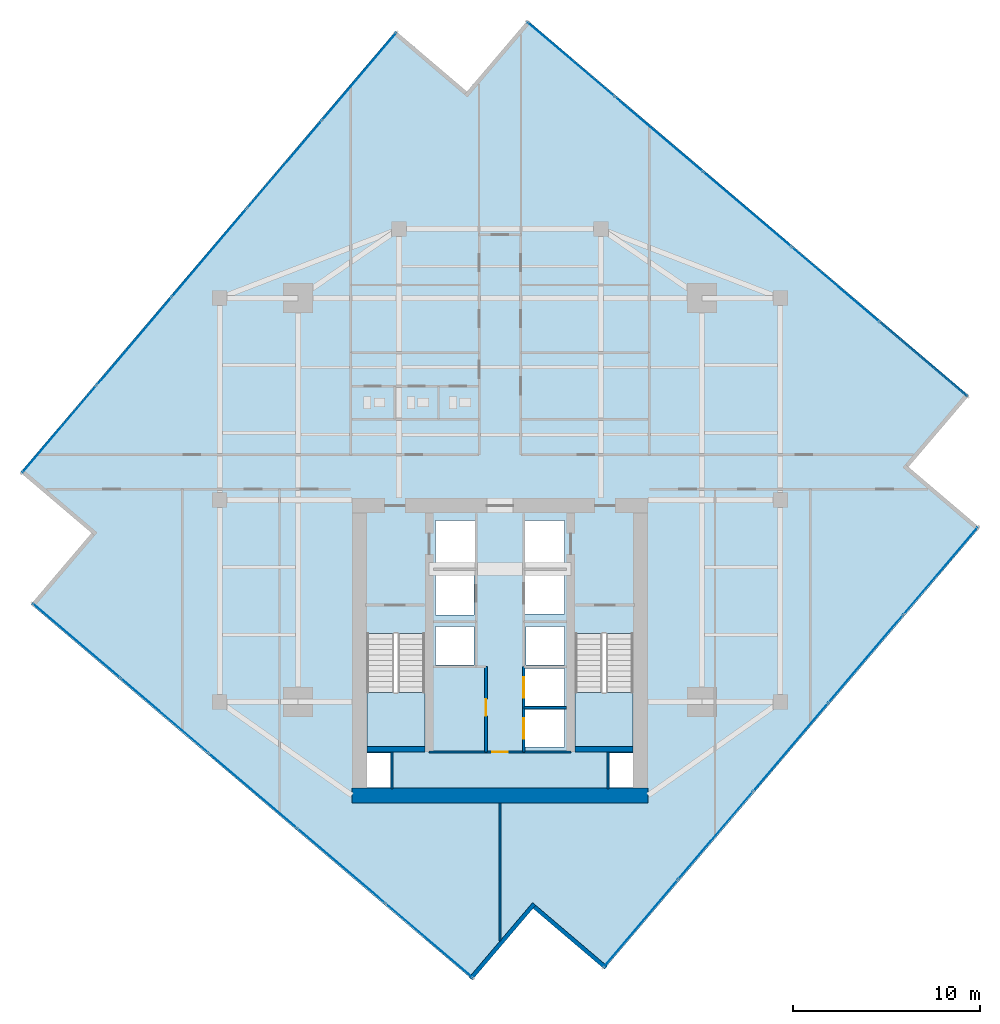
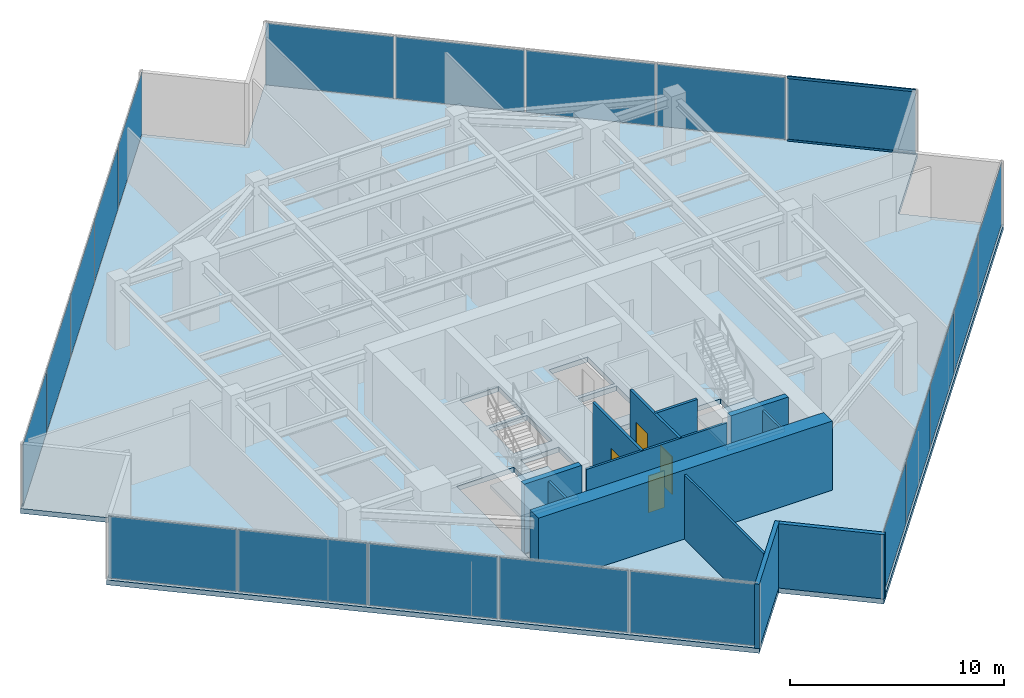
# One storey, part 21 of 25: 20 plates, 12 walls, 4 doors, 3 slabs, 2 members, 4 openings, 6 elements without a shape of their own.
"""IFC4 building model written with IfcOpenShell, lengths in metres."""

from ifc_helpers import new_model, si_unit, direction, frame, frame_2d, origin, origin_2d, place, context, subcontext, project, spatial, polyline, rectangle, hollow_rectangle, outline, extrude, source, transform, mapped, material, layer, layer_set, material_profile, profile_set, type_object, type_shapes, element, fill, aggregate, save


model = new_model("IFC4")

# Units and contexts
model_context = context("Model", 3, precision=1e-05, world=origin(), true_north=direction((0.0, 1.0)))
body_context = subcontext(model_context, "Body", "Model", "MODEL_VIEW")
ifc_project = project(units=[si_unit("LENGTHUNIT", "METRE"), si_unit("AREAUNIT", "SQUARE_METRE"), si_unit("VOLUMEUNIT", "CUBIC_METRE"), si_unit("PLANEANGLEUNIT", "RADIAN"), si_unit("MASSUNIT", "GRAM", prefix="KILO")], contexts=[model_context])

# Site, building, storey
site_placement = place(None, origin())
site = spatial("IfcSite", under=ifc_project, at=site_placement, CompositionType="ELEMENT")
building_placement = place(site_placement, origin())
building = spatial("IfcBuilding", under=site, at=building_placement, Name="Krantzveldt Concourse Tower", CompositionType="ELEMENT")
storey_placement = place(building_placement, frame((0.0, 0.0, 215.199951171875)))
storey = spatial("IfcBuildingStorey", under=building, at=storey_placement, Name="L52", CompositionType="ELEMENT", Elevation=215.199951171875)

# Curtain wall, members
ifc_material_1 = material(Name="Anodised aluminium 6063-T6", Category="aluminium")
curtain_wall_type = type_object("IfcCurtainWallType", Name="CW3", PredefinedType="USERDEFINED", material=ifc_material_1)
curtain_wall_1_placement = place(storey_placement, origin())
curtain_wall_1 = element("IfcCurtainWall", 1, at=curtain_wall_1_placement, inside=storey, type_object=curtain_wall_type, Name="CW-L52-F10", ObjectType="UNITISED CURTAIN WALL", PredefinedType="USERDEFINED")
ifc_material_profile = material_profile(ifc_material_1, hollow_rectangle(XDim=0.070068359375, YDim=0.139892578125, WallThickness=0.0048828125, at=origin_2d()), Name="Anodised aluminium 6063-T6", Category="aluminium")
ifc_profile_set = profile_set([ifc_material_profile], Name="Anodised aluminium 6063-T6 - ALU-TRAN 140x70x5")
member_type = type_object("IfcMemberType", Name="CW-TRN-150", PredefinedType="USERDEFINED", material=ifc_profile_set)
shared_shape_1 = source(origin(), body_context, "Body", "SweptSolid", [
    extrude(hollow_rectangle(XDim=0.070068359375, YDim=0.139892578125, WallThickness=0.0048828125, at=origin_2d()), origin(), (0.0, 0.0, 1.0), 6.094970703125),
])
type_shapes(member_type, [shared_shape_1])
member_1_placement = place(storey_placement, frame((60.976318359375, 32.25341796875, 0.03515625), z_axis=(-0.761823672468, 0.64778444877, 0.0), x_axis=(-0.64778444877, -0.761823672468, 0.0)))
member_1 = element("IfcMember", 2, at=member_1_placement, type_object=member_type, Name="CW-Z34 transom 1.1", ObjectType="TRANSOM", PredefinedType="USERDEFINED", context=body_context, shape_type="MappedRepresentation", body=[
    mapped(shared_shape_1, transform((0.0, 0.0, 0.0), x_axis=(1.0, 0.0, 0.0), y_axis=(0.0, 1.0, 0.0), z_axis=(0.0, 0.0, 1.0), scale=1.0)),
])
member_2_placement = place(storey_placement, frame((60.976318359375, 32.25341796875, 3.635009765625), z_axis=(-0.761823672468, 0.64778444877, 0.0), x_axis=(-0.64778444877, -0.761823672468, 0.0)))
member_2 = element("IfcMember", 3, at=member_2_placement, type_object=member_type, Name="CW-Z34 transom 1.2", ObjectType="TRANSOM", PredefinedType="USERDEFINED", context=body_context, shape_type="MappedRepresentation", body=[
    mapped(shared_shape_1, transform((0.0, 0.0, 0.0), x_axis=(1.0, 0.0, 0.0), y_axis=(0.0, 1.0, 0.0), z_axis=(0.0, 0.0, 1.0), scale=1.0)),
])

# Stair, slab
ifc_material_2 = material(Name="Precast concrete C40/50", Category="concrete")
stair_type = type_object("IfcStairType", Name="STR-CORE-DOGLEG", PredefinedType="HALF_TURN_STAIR", material=ifc_material_2)
stair_1_placement = place(storey_placement, origin())
stair_1 = element("IfcStair", 4, at=stair_1_placement, inside=storey, type_object=stair_type, Name="L52 Protected Escape Stair ST-1", PredefinedType="HALF_TURN_STAIR")
ifc_layer_1 = layer(ifc_material_2, 0.199951171875, Name="Precast concrete C40/50", Category="concrete")
ifc_layer_set_1 = layer_set([ifc_layer_1], Name="Precast concrete C40/50 (SL-LANDING-200)")
slab_type_1 = type_object("IfcSlabType", Name="SL-LANDING-200", PredefinedType="LANDING", material=ifc_layer_set_1)
slab_1_placement = place(storey_placement, frame((0.0, 0.0, 1.775146484375)))
slab_1 = element("IfcSlab", 5, at=slab_1_placement, type_object=slab_type_1, Name="ST-1 landing 1", PredefinedType="LANDING", context=body_context, shape_type="SweptSolid", body=[
    extrude(outline(polyline([(28.8798828125, 16.4150390625), (28.8798828125, 13.52001953125), (31.97998046875, 13.52001953125), (31.97998046875, 16.4150390625), (28.8798828125, 16.4150390625)])), origin(), (0.0, 0.0, 1.0), 0.199951171875),
])
aggregate(stair_1, [slab_1])

stair_2_placement = place(storey_placement, origin())
stair_2 = element("IfcStair", 6, at=stair_2_placement, inside=storey, type_object=stair_type, Name="L52 Protected Escape Stair ST-2", PredefinedType="HALF_TURN_STAIR")
slab_2_placement = place(storey_placement, frame((0.0, 0.0, 1.775146484375)))
slab_2 = element("IfcSlab", 7, at=slab_2_placement, type_object=slab_type_1, Name="ST-2 landing 1", PredefinedType="LANDING", context=body_context, shape_type="SweptSolid", body=[
    extrude(outline(polyline([(40.02001953125, 16.4150390625), (40.02001953125, 13.52001953125), (43.1201171875, 13.52001953125), (43.1201171875, 16.4150390625), (40.02001953125, 16.4150390625)])), origin(), (0.0, 0.0, 1.0), 0.199951171875),
])
aggregate(stair_2, [slab_2])

# Slab
ifc_material_3 = material(Name="Concrete C40/50", Category="concrete")
ifc_layer_2 = layer(ifc_material_3, 0.280029296875, Name="Concrete C40/50", Category="concrete")
ifc_layer_set_2 = layer_set([ifc_layer_2], Name="Concrete C40/50 (SL-SL-TWR280)")
slab_type_2 = type_object("IfcSlabType", Name="SL-SL-TWR280", PredefinedType="FLOOR", material=ifc_layer_set_2)
slab_3_placement = place(storey_placement, frame((0.0, 0.0, -0.280029296875)))
element("IfcSlab", 8, at=slab_3_placement, inside=storey, type_object=slab_type_2, Name="SL-L52-MAIN", PredefinedType="FLOOR", context=body_context, shape_type="SweptSolid", body=[
    extrude(outline(polyline([(34.232421875, 48.548828125), (30.42333984375, 51.787841796875), (10.342041015625, 28.17138671875), (14.151123046875, 24.932373046875), (10.912109375, 21.123291015625), (34.528564453125, 1.0419921875), (37.767578125, 4.85107421875), (41.57666015625, 1.612060546875), (61.657958984375, 25.228515625), (57.848876953125, 28.467529296875), (61.087890625, 32.276611328125), (37.471435546875, 52.358154296875), (34.232421875, 48.548828125)]), holes=[polyline([(28.8798828125, 19.547607421875), (28.8798828125, 13.52001953125), (31.97998046875, 13.52001953125), (31.97998046875, 19.547607421875), (28.8798828125, 19.547607421875)]), polyline([(40.02001953125, 19.547607421875), (40.02001953125, 13.52001953125), (43.1201171875, 13.52001953125), (43.1201171875, 19.547607421875), (40.02001953125, 19.547607421875)]), polyline([(32.550048828125, 23.10009765625), (34.64990234375, 23.10009765625), (34.64990234375, 25.60009765625), (32.550048828125, 25.60009765625), (32.550048828125, 23.10009765625)]), polyline([(37.35009765625, 23.10009765625), (39.449951171875, 23.10009765625), (39.449951171875, 25.60009765625), (37.35009765625, 25.60009765625), (37.35009765625, 23.10009765625)]), polyline([(37.35009765625, 20.60009765625), (39.449951171875, 20.60009765625), (39.449951171875, 22.89990234375), (37.35009765625, 22.89990234375), (37.35009765625, 20.60009765625)]), polyline([(37.35009765625, 13.47998046875), (39.449951171875, 13.47998046875), (39.449951171875, 15.47998046875), (37.35009765625, 15.47998046875), (37.35009765625, 13.47998046875)]), polyline([(37.35009765625, 15.679931640625), (39.449951171875, 15.679931640625), (39.449951171875, 17.679931640625), (37.35009765625, 17.679931640625), (37.35009765625, 15.679931640625)]), polyline([(32.550048828125, 20.550048828125), (34.6201171875, 20.550048828125), (34.6201171875, 22.89990234375), (32.550048828125, 22.89990234375), (32.550048828125, 20.550048828125)]), polyline([(32.550048828125, 17.8798828125), (34.6201171875, 17.8798828125), (34.6201171875, 19.919921875), (32.550048828125, 19.919921875), (32.550048828125, 17.8798828125)]), polyline([(37.3798828125, 17.8798828125), (39.449951171875, 17.8798828125), (39.449951171875, 19.919921875), (37.3798828125, 19.919921875), (37.3798828125, 17.8798828125)]), polyline([(28.8798828125, 11.320068359375), (30.139892578125, 11.320068359375), (30.139892578125, 13.159912109375), (28.8798828125, 13.159912109375), (28.8798828125, 11.320068359375)]), polyline([(41.860107421875, 11.320068359375), (43.1201171875, 11.320068359375), (43.1201171875, 13.159912109375), (41.860107421875, 13.159912109375), (41.860107421875, 11.320068359375)])]), origin(), (0.0, 0.0, 1.0), 0.280029296875),
])

# Curtain wall, plates
curtain_wall_2_placement = place(storey_placement, origin())
curtain_wall_2 = element("IfcCurtainWall", 9, at=curtain_wall_2_placement, inside=storey, type_object=curtain_wall_type, Name="CW-L52-F01", ObjectType="UNITISED CURTAIN WALL", PredefinedType="USERDEFINED")
ifc_material_4 = material(Name="Bronze-tinted laminated low-E IGU glass", Category="glass")
ifc_layer_3 = layer(ifc_material_4, 0.031982421875, Name="Bronze-tinted laminated low-E IGU glass", Category="glass")
ifc_layer_set_3 = layer_set([ifc_layer_3], Name="Bronze-tinted laminated low-E IGU glass (CW-GLZ-32)")
plate_type = type_object("IfcPlateType", Name="CW-GLZ-32", PredefinedType="CURTAIN_PANEL", material=ifc_layer_set_3)
shared_shape_2 = source(origin(), body_context, "Body", "SweptSolid", [
    extrude(rectangle(XDim=6.094970703125, YDim=0.031982421875, at=origin_2d()), origin(), (0.0, 0.0, 1.0), 3.530029296875),
])
plate_1_placement = place(storey_placement, frame((28.472412109375, 49.3544921875, 0.06982421875), z_axis=(0.0, 0.0, 1.0), x_axis=(-0.647787694805, -0.761820912327, 0.0)))
plate_1 = element("IfcPlate", 10, at=plate_1_placement, type_object=plate_type, Name="CW-Z34 panel 1.1", PredefinedType="CURTAIN_PANEL", context=body_context, shape_type="MappedRepresentation", body=[
    mapped(shared_shape_2, transform((0.0, 0.0, 0.0), x_axis=(1.0, 0.0, 0.0), y_axis=(0.0, 1.0, 0.0), z_axis=(0.0, 0.0, 1.0), scale=1.0)),
])
plate_2_placement = place(storey_placement, frame((12.429931640625, 30.488037109375, 0.06982421875), z_axis=(0.0, 0.0, 1.0), x_axis=(-0.647787694805, -0.761820912327, 0.0)))
plate_2 = element("IfcPlate", 11, at=plate_2_placement, type_object=plate_type, Name="CW-Z34 panel 5.1", PredefinedType="CURTAIN_PANEL", context=body_context, shape_type="MappedRepresentation", body=[
    mapped(shared_shape_2, transform((0.0, 0.0, 0.0), x_axis=(1.0, 0.0, 0.0), y_axis=(0.0, 1.0, 0.0), z_axis=(0.0, 0.0, 1.0), scale=1.0)),
])

curtain_wall_3_placement = place(storey_placement, origin())
curtain_wall_3 = element("IfcCurtainWall", 12, at=curtain_wall_3_placement, inside=storey, type_object=curtain_wall_type, Name="CW-L52-F04", ObjectType="UNITISED CURTAIN WALL", PredefinedType="USERDEFINED")
plate_3_placement = place(storey_placement, frame((13.345458984375, 19.17236328125, 0.06982421875), z_axis=(0.0, 0.0, 1.0), x_axis=(0.761820912327, -0.647787694805, 0.0)))
plate_3 = element("IfcPlate", 13, at=plate_3_placement, type_object=plate_type, Name="CW-Z34 panel 1.1", PredefinedType="CURTAIN_PANEL", context=body_context, shape_type="MappedRepresentation", body=[
    mapped(shared_shape_2, transform((0.0, 0.0, 0.0), x_axis=(1.0, 0.0, 0.0), y_axis=(0.0, 1.0, 0.0), z_axis=(0.0, 0.0, 1.0), scale=1.0)),
])
plate_4_placement = place(storey_placement, frame((32.2119140625, 3.1298828125, 0.06982421875), z_axis=(0.0, 0.0, 1.0), x_axis=(0.761820912327, -0.647787694805, 0.0)))
plate_4 = element("IfcPlate", 14, at=plate_4_placement, type_object=plate_type, Name="CW-Z34 panel 5.1", PredefinedType="CURTAIN_PANEL", context=body_context, shape_type="MappedRepresentation", body=[
    mapped(shared_shape_2, transform((0.0, 0.0, 0.0), x_axis=(1.0, 0.0, 0.0), y_axis=(0.0, 1.0, 0.0), z_axis=(0.0, 0.0, 1.0), scale=1.0)),
])

curtain_wall_4_placement = place(storey_placement, origin())
curtain_wall_4 = element("IfcCurtainWall", 15, at=curtain_wall_4_placement, inside=storey, type_object=curtain_wall_type, Name="CW-L52-F07", ObjectType="UNITISED CURTAIN WALL", PredefinedType="USERDEFINED")
plate_5_placement = place(storey_placement, frame((43.527587890625, 4.04541015625, 0.06982421875), z_axis=(0.0, 0.0, 1.0), x_axis=(0.647787694805, 0.761820912327, 0.0)))
plate_5 = element("IfcPlate", 16, at=plate_5_placement, type_object=plate_type, Name="CW-Z34 panel 1.1", PredefinedType="CURTAIN_PANEL", context=body_context, shape_type="MappedRepresentation", body=[
    mapped(shared_shape_2, transform((0.0, 0.0, 0.0), x_axis=(1.0, 0.0, 0.0), y_axis=(0.0, 1.0, 0.0), z_axis=(0.0, 0.0, 1.0), scale=1.0)),
])
plate_6_placement = place(storey_placement, frame((59.570068359375, 22.911865234375, 0.06982421875), z_axis=(0.0, 0.0, 1.0), x_axis=(0.647787694805, 0.761820912327, 0.0)))
plate_6 = element("IfcPlate", 17, at=plate_6_placement, type_object=plate_type, Name="CW-Z34 panel 5.1", PredefinedType="CURTAIN_PANEL", context=body_context, shape_type="MappedRepresentation", body=[
    mapped(shared_shape_2, transform((0.0, 0.0, 0.0), x_axis=(1.0, 0.0, 0.0), y_axis=(0.0, 1.0, 0.0), z_axis=(0.0, 0.0, 1.0), scale=1.0)),
])

# Plate
plate_7_placement = place(storey_placement, frame((58.654541015625, 34.2275390625, 0.06982421875), z_axis=(0.0, 0.0, 1.0), x_axis=(-0.761820912327, 0.647787694805, 0.0)))
plate_7 = element("IfcPlate", 18, at=plate_7_placement, type_object=plate_type, Name="CW-Z34 panel 1.1", PredefinedType="CURTAIN_PANEL", context=body_context, shape_type="MappedRepresentation", body=[
    mapped(shared_shape_2, transform((0.0, 0.0, 0.0), x_axis=(1.0, 0.0, 0.0), y_axis=(0.0, 1.0, 0.0), z_axis=(0.0, 0.0, 1.0), scale=1.0)),
])

plate_8_placement = place(storey_placement, frame((39.7880859375, 50.27001953125, 0.06982421875), z_axis=(0.0, 0.0, 1.0), x_axis=(-0.761820912327, 0.647787694805, 0.0)))
plate_8 = element("IfcPlate", 19, at=plate_8_placement, type_object=plate_type, Name="CW-Z34 panel 5.1", PredefinedType="CURTAIN_PANEL", context=body_context, shape_type="MappedRepresentation", body=[
    mapped(shared_shape_2, transform((0.0, 0.0, 0.0), x_axis=(1.0, 0.0, 0.0), y_axis=(0.0, 1.0, 0.0), z_axis=(0.0, 0.0, 1.0), scale=1.0)),
])

shared_shape_3 = source(origin(), body_context, "Body", "SweptSolid", [
    extrude(rectangle(XDim=6.1298828125, YDim=0.031982421875, at=origin_2d()), origin(), (0.0, 0.0, 1.0), 3.530029296875),
])
type_shapes(plate_type, [shared_shape_2, shared_shape_3])
plate_9_placement = place(storey_placement, frame((24.467529296875, 44.64453125, 0.06982421875), z_axis=(0.0, 0.0, 1.0), x_axis=(-0.647787694805, -0.761820912327, 0.0)))
plate_9 = element("IfcPlate", 20, at=plate_9_placement, type_object=plate_type, Name="CW-Z34 panel 2.1", PredefinedType="CURTAIN_PANEL", context=body_context, shape_type="MappedRepresentation", body=[
    mapped(shared_shape_3, transform((0.0, 0.0, 0.0), x_axis=(1.0, 0.0, 0.0), y_axis=(0.0, 1.0, 0.0), z_axis=(0.0, 0.0, 1.0), scale=1.0)),
])

plate_10_placement = place(storey_placement, frame((20.451171875, 39.92138671875, 0.06982421875), z_axis=(0.0, 0.0, 1.0), x_axis=(-0.647787694805, -0.761820912327, 0.0)))
plate_10 = element("IfcPlate", 21, at=plate_10_placement, type_object=plate_type, Name="CW-Z34 panel 3.1", PredefinedType="CURTAIN_PANEL", context=body_context, shape_type="MappedRepresentation", body=[
    mapped(shared_shape_3, transform((0.0, 0.0, 0.0), x_axis=(1.0, 0.0, 0.0), y_axis=(0.0, 1.0, 0.0), z_axis=(0.0, 0.0, 1.0), scale=1.0)),
])

plate_11_placement = place(storey_placement, frame((16.43505859375, 35.197998046875, 0.06982421875), z_axis=(0.0, 0.0, 1.0), x_axis=(-0.647787694805, -0.761820912327, 0.0)))
plate_11 = element("IfcPlate", 22, at=plate_11_placement, type_object=plate_type, Name="CW-Z34 panel 4.1", PredefinedType="CURTAIN_PANEL", context=body_context, shape_type="MappedRepresentation", body=[
    mapped(shared_shape_3, transform((0.0, 0.0, 0.0), x_axis=(1.0, 0.0, 0.0), y_axis=(0.0, 1.0, 0.0), z_axis=(0.0, 0.0, 1.0), scale=1.0)),
])

aggregate(curtain_wall_2, [plate_1, plate_9, plate_10, plate_11, plate_2])

plate_12_placement = place(storey_placement, frame((18.055419921875, 15.16748046875, 0.06982421875), z_axis=(0.0, 0.0, 1.0), x_axis=(0.761820912327, -0.647787694805, 0.0)))
plate_12 = element("IfcPlate", 23, at=plate_12_placement, type_object=plate_type, Name="CW-Z34 panel 2.1", PredefinedType="CURTAIN_PANEL", context=body_context, shape_type="MappedRepresentation", body=[
    mapped(shared_shape_3, transform((0.0, 0.0, 0.0), x_axis=(1.0, 0.0, 0.0), y_axis=(0.0, 1.0, 0.0), z_axis=(0.0, 0.0, 1.0), scale=1.0)),
])

plate_13_placement = place(storey_placement, frame((22.778564453125, 11.151123046875, 0.06982421875), z_axis=(0.0, 0.0, 1.0), x_axis=(0.761820912327, -0.647787694805, 0.0)))
plate_13 = element("IfcPlate", 24, at=plate_13_placement, type_object=plate_type, Name="CW-Z34 panel 3.1", PredefinedType="CURTAIN_PANEL", context=body_context, shape_type="MappedRepresentation", body=[
    mapped(shared_shape_3, transform((0.0, 0.0, 0.0), x_axis=(1.0, 0.0, 0.0), y_axis=(0.0, 1.0, 0.0), z_axis=(0.0, 0.0, 1.0), scale=1.0)),
])

plate_14_placement = place(storey_placement, frame((27.501953125, 7.135009765625, 0.06982421875), z_axis=(0.0, 0.0, 1.0), x_axis=(0.761820912327, -0.647787694805, 0.0)))
plate_14 = element("IfcPlate", 25, at=plate_14_placement, type_object=plate_type, Name="CW-Z34 panel 4.1", PredefinedType="CURTAIN_PANEL", context=body_context, shape_type="MappedRepresentation", body=[
    mapped(shared_shape_3, transform((0.0, 0.0, 0.0), x_axis=(1.0, 0.0, 0.0), y_axis=(0.0, 1.0, 0.0), z_axis=(0.0, 0.0, 1.0), scale=1.0)),
])

aggregate(curtain_wall_3, [plate_3, plate_12, plate_13, plate_14, plate_4])

plate_15_placement = place(storey_placement, frame((47.532470703125, 8.75537109375, 0.06982421875), z_axis=(0.0, 0.0, 1.0), x_axis=(0.647787694805, 0.761820912327, 0.0)))
plate_15 = element("IfcPlate", 26, at=plate_15_placement, type_object=plate_type, Name="CW-Z34 panel 2.1", PredefinedType="CURTAIN_PANEL", context=body_context, shape_type="MappedRepresentation", body=[
    mapped(shared_shape_3, transform((0.0, 0.0, 0.0), x_axis=(1.0, 0.0, 0.0), y_axis=(0.0, 1.0, 0.0), z_axis=(0.0, 0.0, 1.0), scale=1.0)),
])

plate_16_placement = place(storey_placement, frame((51.548828125, 13.478759765625, 0.06982421875), z_axis=(0.0, 0.0, 1.0), x_axis=(0.647787694805, 0.761820912327, 0.0)))
plate_16 = element("IfcPlate", 27, at=plate_16_placement, type_object=plate_type, Name="CW-Z34 panel 3.1", PredefinedType="CURTAIN_PANEL", context=body_context, shape_type="MappedRepresentation", body=[
    mapped(shared_shape_3, transform((0.0, 0.0, 0.0), x_axis=(1.0, 0.0, 0.0), y_axis=(0.0, 1.0, 0.0), z_axis=(0.0, 0.0, 1.0), scale=1.0)),
])

plate_17_placement = place(storey_placement, frame((55.56494140625, 18.201904296875, 0.06982421875), z_axis=(0.0, 0.0, 1.0), x_axis=(0.647787694805, 0.761820912327, 0.0)))
plate_17 = element("IfcPlate", 28, at=plate_17_placement, type_object=plate_type, Name="CW-Z34 panel 4.1", PredefinedType="CURTAIN_PANEL", context=body_context, shape_type="MappedRepresentation", body=[
    mapped(shared_shape_3, transform((0.0, 0.0, 0.0), x_axis=(1.0, 0.0, 0.0), y_axis=(0.0, 1.0, 0.0), z_axis=(0.0, 0.0, 1.0), scale=1.0)),
])

aggregate(curtain_wall_4, [plate_5, plate_15, plate_16, plate_17, plate_6])

plate_18_placement = place(storey_placement, frame((53.944580078125, 38.232421875, 0.06982421875), z_axis=(0.0, 0.0, 1.0), x_axis=(-0.761820912327, 0.647787694805, 0.0)))
plate_18 = element("IfcPlate", 29, at=plate_18_placement, type_object=plate_type, Name="CW-Z34 panel 2.1", PredefinedType="CURTAIN_PANEL", context=body_context, shape_type="MappedRepresentation", body=[
    mapped(shared_shape_3, transform((0.0, 0.0, 0.0), x_axis=(1.0, 0.0, 0.0), y_axis=(0.0, 1.0, 0.0), z_axis=(0.0, 0.0, 1.0), scale=1.0)),
])

plate_19_placement = place(storey_placement, frame((49.221435546875, 42.248779296875, 0.06982421875), z_axis=(0.0, 0.0, 1.0), x_axis=(-0.761820912327, 0.647787694805, 0.0)))
plate_19 = element("IfcPlate", 30, at=plate_19_placement, type_object=plate_type, Name="CW-Z34 panel 3.1", PredefinedType="CURTAIN_PANEL", context=body_context, shape_type="MappedRepresentation", body=[
    mapped(shared_shape_3, transform((0.0, 0.0, 0.0), x_axis=(1.0, 0.0, 0.0), y_axis=(0.0, 1.0, 0.0), z_axis=(0.0, 0.0, 1.0), scale=1.0)),
])

plate_20_placement = place(storey_placement, frame((44.498046875, 46.26513671875, 0.06982421875), z_axis=(0.0, 0.0, 1.0), x_axis=(-0.761820912327, 0.647787694805, 0.0)))
plate_20 = element("IfcPlate", 31, at=plate_20_placement, type_object=plate_type, Name="CW-Z34 panel 4.1", PredefinedType="CURTAIN_PANEL", context=body_context, shape_type="MappedRepresentation", body=[
    mapped(shared_shape_3, transform((0.0, 0.0, 0.0), x_axis=(1.0, 0.0, 0.0), y_axis=(0.0, 1.0, 0.0), z_axis=(0.0, 0.0, 1.0), scale=1.0)),
])

aggregate(curtain_wall_1, [member_1, member_2, plate_7, plate_18, plate_19, plate_20, plate_8])

# Walls
ifc_layer_4 = layer(ifc_material_1, 0.219970703125, Name="Anodised aluminium 6063-T6", Category="aluminium")
ifc_layer_set_4 = layer_set([ifc_layer_4], Name="Anodised aluminium 6063-T6 (WL-EXT-NOTCH220)")
wall_type_1 = type_object("IfcWallType", Name="WL-EXT-NOTCH220", PredefinedType="ELEMENTEDWALL", material=ifc_layer_set_4)
wall_1_placement = place(storey_placement, frame((34.428466796875, 1.09423828125, 0.0), z_axis=(0.0, 0.0, 1.0), x_axis=(0.647807844474, 0.761803778304, 0.0)))
element("IfcWall", 32, at=wall_1_placement, inside=storey, type_object=wall_type_1, Name="EW-L52-NCH05", PredefinedType="ELEMENTEDWALL", context=body_context, shape_type="SweptSolid", body=[
    extrude(rectangle(XDim=5.244873046875, YDim=0.219970703125, at=frame_2d((2.62255859375, 0.0))), origin(), (0.0, 0.0, 1.0), 3.670166015625),
])
wall_2_placement = place(storey_placement, frame((37.8388671875, 4.934814453125, 0.0), z_axis=(0.0, 0.0, 1.0), x_axis=(0.761819427757, -0.647789440707, 0.0)))
element("IfcWall", 33, at=wall_2_placement, inside=storey, type_object=wall_type_1, Name="EW-L52-NCH06", PredefinedType="ELEMENTEDWALL", context=body_context, shape_type="SweptSolid", body=[
    extrude(rectangle(XDim=5.02490234375, YDim=0.219970703125, at=frame_2d((2.512451171875, 0.0))), origin(), (0.0, 0.0, 1.0), 3.670166015625),
])

# Wall, opening, door
ifc_material_5 = material(Name="Fire-rated gypsum plasterboard on steel stud", Category="steel")
ifc_layer_5 = layer(ifc_material_5, 0.1201171875, Name="Fire-rated gypsum plasterboard on steel stud", Category="steel")
ifc_layer_set_5 = layer_set([ifc_layer_5], Name="Fire-rated gypsum plasterboard on steel stud (WL-PART-120)")
wall_type_2 = type_object("IfcWallType", Name="WL-PART-120", PredefinedType="PARTITIONING", material=ifc_layer_set_5)
wall_3_placement = place(storey_placement, frame((32.2099609375, 13.219970703125, 0.0), z_axis=(0.0, 0.0, 1.0), x_axis=(1.0, 0.0, 0.0)))
wall_3 = element("IfcWall", 34, at=wall_3_placement, inside=storey, type_object=wall_type_2, Name="WP-L52-CS2H", PredefinedType="PARTITIONING", context=body_context, shape_type="SweptSolid", body=[
    extrude(rectangle(XDim=7.580078125, YDim=0.1201171875, at=frame_2d((3.7900390625, 0.0))), origin(), (0.0, 0.0, 1.0), 3.670166015625),
])
opening_1_placement = place(wall_3_placement, frame((3.364990234375, 0.0, 0.0)))
opening_1 = element("IfcOpeningElement", 35, at=opening_1_placement, cuts=wall_3, Name="Opening D-IN085", PredefinedType="OPENING", context=body_context, shape_type="SweptSolid", body=[
    extrude(rectangle(XDim=0.85009765625, YDim=2.10009765625, at=frame_2d((0.425048828125, 1.050048828125))), frame((0.0, 0.070068359375, 0.0), z_axis=(0.0, -1.0, 0.0), x_axis=(1.0, 0.0, 0.0)), (0.0, 0.0, 1.0), 0.14013671875),
])
ifc_material_6 = material(Name="Hardwood timber", Category="wood")
door_type_1 = type_object("IfcDoorType", Name="DR-INT-850", OperationType="SINGLE_SWING_LEFT", PredefinedType="DOOR", material=ifc_material_6)
door_1_placement = place(opening_1_placement, origin())
door_1 = element("IfcDoor", 36, at=door_1_placement, inside=storey, type_object=door_type_1, Name="DR-L52-CSC1", OperationType="SINGLE_SWING_RIGHT", OverallHeight=2.10009765625, OverallWidth=0.85009765625, PredefinedType="DOOR", context=body_context, shape_type="SweptSolid", body=[
    extrude(rectangle(XDim=0.85009765625, YDim=2.10009765625, at=frame_2d((0.425048828125, 1.050048828125))), frame((0.0, 0.02490234375, 0.0), z_axis=(0.0, -1.0, 0.0), x_axis=(1.0, 0.0, 0.0)), (0.0, 0.0, 1.0), 0.050048828125),
])
fill(opening_1, door_1)

# Wall
wall_4_placement = place(storey_placement, frame((36.0, 3.11962890625, 0.0), z_axis=(0.0, 0.0, 1.0), x_axis=(0.0, 1.0, 0.0)))
element("IfcWall", 37, at=wall_4_placement, inside=storey, type_object=wall_type_2, Name="WP-L52-SMID", PredefinedType="PARTITIONING", context=body_context, shape_type="SweptSolid", body=[
    extrude(rectangle(XDim=7.38037109375, YDim=0.1201171875, at=frame_2d((3.690185546875, 0.0))), origin(), (0.0, 0.0, 1.0), 3.670166015625),
])

# Wall, opening, door
ifc_layer_6 = layer(ifc_material_5, 0.139892578125, Name="Fire-rated gypsum plasterboard on steel stud", Category="steel")
ifc_layer_set_6 = layer_set([ifc_layer_6], Name="Fire-rated gypsum plasterboard on steel stud (WL-PART-FR140)")
wall_type_3 = type_object("IfcWallType", Name="WL-PART-FR140", PredefinedType="PARTITIONING", material=ifc_layer_set_6)
wall_5_placement = place(storey_placement, frame((35.25, 13.219970703125, 0.0), z_axis=(0.0, 0.0, 1.0), x_axis=(0.0, 1.0, 0.0)))
wall_5 = element("IfcWall", 38, at=wall_5_placement, inside=storey, type_object=wall_type_3, Name="WP-L52-RECW", PredefinedType="PARTITIONING", context=body_context, shape_type="SweptSolid", body=[
    extrude(rectangle(XDim=4.56005859375, YDim=0.139892578125, at=frame_2d((2.280029296875, 0.0))), origin(), (0.0, 0.0, 1.0), 3.670166015625),
])
opening_2_placement = place(wall_5_placement, frame((1.929931640625, 0.0, 0.0)))
opening_2 = element("IfcOpeningElement", 39, at=opening_2_placement, cuts=wall_5, Name="Opening D-FD090", PredefinedType="OPENING", context=body_context, shape_type="SweptSolid", body=[
    extrude(rectangle(XDim=0.89990234375, YDim=2.10009765625, at=frame_2d((0.449951171875, 1.050048828125))), frame((0.0, 0.080078125, 0.0), z_axis=(0.0, -1.0, 0.0), x_axis=(1.0, 0.0, 0.0)), (0.0, 0.0, 1.0), 0.159912109375),
])
door_type_2 = type_object("IfcDoorType", Name="DR-FD60-900", OperationType="SINGLE_SWING_LEFT", PredefinedType="DOOR", material=ifc_material_6)
door_2_placement = place(opening_2_placement, origin())
door_2 = element("IfcDoor", 40, at=door_2_placement, inside=storey, type_object=door_type_2, Name="DR-L52-RECW", OperationType="SINGLE_SWING_LEFT", OverallHeight=2.10009765625, OverallWidth=0.89990234375, PredefinedType="DOOR", context=body_context, shape_type="SweptSolid", body=[
    extrude(rectangle(XDim=0.89990234375, YDim=2.10009765625, at=frame_2d((0.449951171875, 1.050048828125))), frame((0.0, 0.02490234375, 0.0), z_axis=(0.0, -1.0, 0.0), x_axis=(1.0, 0.0, 0.0)), (0.0, 0.0, 1.0), 0.050048828125),
])
fill(opening_2, door_2)

# Wall, openings, doors
wall_6_placement = place(storey_placement, frame((37.280029296875, 13.219970703125, 0.0), z_axis=(0.0, 0.0, 1.0), x_axis=(0.0, 1.0, 0.0)))
wall_6 = element("IfcWall", 41, at=wall_6_placement, inside=storey, type_object=wall_type_3, Name="WP-L52-SHSE", PredefinedType="PARTITIONING", context=body_context, shape_type="SweptSolid", body=[
    extrude(rectangle(XDim=4.56005859375, YDim=0.139892578125, at=frame_2d((2.280029296875, 0.0))), origin(), (0.0, 0.0, 1.0), 3.670166015625),
])
opening_3_placement = place(wall_6_placement, frame((0.7099609375, 0.0, 0.0)))
opening_3 = element("IfcOpeningElement", 42, at=opening_3_placement, cuts=wall_6, Name="Opening LD", PredefinedType="OPENING", context=body_context, shape_type="SweptSolid", body=[
    extrude(rectangle(XDim=1.10009765625, YDim=2.14990234375, at=frame_2d((0.550048828125, 1.074951171875))), frame((0.0, 0.080078125, 0.0), z_axis=(0.0, -1.0, 0.0), x_axis=(1.0, 0.0, 0.0)), (0.0, 0.0, 1.0), 0.159912109375),
])
opening_4_placement = place(wall_6_placement, frame((2.909912109375, 0.0, 0.0)))
opening_4 = element("IfcOpeningElement", 43, at=opening_4_placement, cuts=wall_6, Name="Opening LD", PredefinedType="OPENING", context=body_context, shape_type="SweptSolid", body=[
    extrude(rectangle(XDim=1.10009765625, YDim=2.14990234375, at=frame_2d((0.550048828125, 1.074951171875))), frame((0.0, 0.080078125, 0.0), z_axis=(0.0, -1.0, 0.0), x_axis=(1.0, 0.0, 0.0)), (0.0, 0.0, 1.0), 0.159912109375),
])
ifc_material_7 = material(Name="Stainless steel 316L", Category="steel")
door_type_3 = type_object("IfcDoorType", Name="DR-SLIDE-LD1100", OperationType="DOUBLE_DOOR_SLIDING", PredefinedType="DOOR", material=ifc_material_7)
door_3_placement = place(opening_3_placement, origin())
door_3 = element("IfcDoor", 44, at=door_3_placement, inside=storey, type_object=door_type_3, Name="LD-L52-PM1", OperationType="DOUBLE_DOOR_SLIDING", OverallHeight=2.14990234375, OverallWidth=1.10009765625, PredefinedType="DOOR", context=body_context, shape_type="SweptSolid", body=[
    extrude(rectangle(XDim=1.10009765625, YDim=2.14990234375, at=frame_2d((0.550048828125, 1.074951171875))), frame((0.0, 0.02490234375, 0.0), z_axis=(0.0, -1.0, 0.0), x_axis=(1.0, 0.0, 0.0)), (0.0, 0.0, 1.0), 0.050048828125),
])
fill(opening_3, door_3)
door_4_placement = place(opening_4_placement, origin())
door_4 = element("IfcDoor", 45, at=door_4_placement, inside=storey, type_object=door_type_3, Name="LD-L52-PM2", OperationType="DOUBLE_DOOR_SLIDING", OverallHeight=2.14990234375, OverallWidth=1.10009765625, PredefinedType="DOOR", context=body_context, shape_type="SweptSolid", body=[
    extrude(rectangle(XDim=1.10009765625, YDim=2.14990234375, at=frame_2d((0.550048828125, 1.074951171875))), frame((0.0, 0.02490234375, 0.0), z_axis=(0.0, -1.0, 0.0), x_axis=(1.0, 0.0, 0.0)), (0.0, 0.0, 1.0), 0.050048828125),
])
fill(opening_4, door_4)

# Walls
wall_7_placement = place(storey_placement, frame((37.280029296875, 15.580078125, 0.0), z_axis=(0.0, 0.0, 1.0), x_axis=(1.0, 0.0, 0.0)))
element("IfcWall", 46, at=wall_7_placement, inside=storey, type_object=wall_type_3, Name="WP-L52-DIVE1", PredefinedType="PARTITIONING", context=body_context, shape_type="SweptSolid", body=[
    extrude(rectangle(XDim=2.27001953125, YDim=0.139892578125, at=frame_2d((1.135009765625, 0.0))), origin(), (0.0, 0.0, 1.0), 3.670166015625),
])
for number, where, z_axis, x_axis, name in (
    (47, (30.219970703125, 11.25, 0.0), (0.0, 0.0, 1.0), (0.0, 1.0, 0.0), "WP-L52-RSW"),
    (48, (41.780029296875, 11.25, 0.0), (0.0, 0.0, 1.0), (0.0, 1.0, 0.0), "WP-L52-RSE"),
):
    element("IfcWall", number, at=place(storey_placement, frame(where, z_axis=z_axis, x_axis=x_axis)), inside=storey, type_object=wall_type_3, Name=name, PredefinedType="PARTITIONING", context=body_context, shape_type="SweptSolid", body=[
        extrude(rectangle(XDim=1.969970703125, YDim=0.1201171875, at=frame_2d((0.98486328125, 0.0))), origin(), (0.0, 0.0, 1.0), 3.670166015625),
    ])
ifc_material_8 = material(Name="Concrete C50/60", Category="concrete")
ifc_layer_7 = layer(ifc_material_8, 0.300048828125, Name="Concrete C50/60", Category="concrete")
ifc_layer_set_7 = layer_set([ifc_layer_7], Name="Concrete C50/60 (WL-SHEAR-300)")
wall_type_4 = type_object("IfcWallType", Name="WL-SHEAR-300", PredefinedType="SHEAR", material=ifc_layer_set_7)
for number, where, z_axis, x_axis, name in (
    (49, (28.8798828125, 13.3701171875, 0.0), (0.0, 0.0, 1.0), (1.0, 0.0, 0.0), "CW-L52-ST1S"),
    (50, (40.02001953125, 13.3701171875, 0.0), (0.0, 0.0, 1.0), (1.0, 0.0, 0.0), "CW-L52-ST2S"),
):
    element("IfcWall", number, at=place(storey_placement, frame(where, z_axis=z_axis, x_axis=x_axis)), inside=storey, type_object=wall_type_4, Name=name, PredefinedType="SHEAR", context=body_context, shape_type="SweptSolid", body=[
        extrude(rectangle(XDim=3.10009765625, YDim=0.300048828125, at=frame_2d((1.550048828125, 0.0))), origin(), (0.0, 0.0, 1.0), 3.949951171875),
    ])
ifc_material_9 = material(Name="Concrete C60/75", Category="concrete")
ifc_layer_8 = layer(ifc_material_9, 0.800048828125, Name="Concrete C60/75", Category="concrete")
ifc_layer_set_8 = layer_set([ifc_layer_8], Name="Concrete C60/75 (WL-SHEAR-800)")
wall_type_5 = type_object("IfcWallType", Name="WL-SHEAR-800", PredefinedType="SHEAR", material=ifc_layer_set_8)
wall_8_placement = place(storey_placement, frame((28.080078125, 10.89990234375, 0.0), z_axis=(0.0, 0.0, 1.0), x_axis=(1.0, 0.0, 0.0)))
element("IfcWall", 51, at=wall_8_placement, inside=storey, type_object=wall_type_5, Name="CW-L52-S", PredefinedType="SHEAR", context=body_context, shape_type="SweptSolid", body=[
    extrude(rectangle(XDim=15.83984375, YDim=0.800048828125, at=frame_2d((7.919921875, 0.0))), origin(), (0.0, 0.0, 1.0), 3.949951171875),
])

save(model, "model.ifc")
